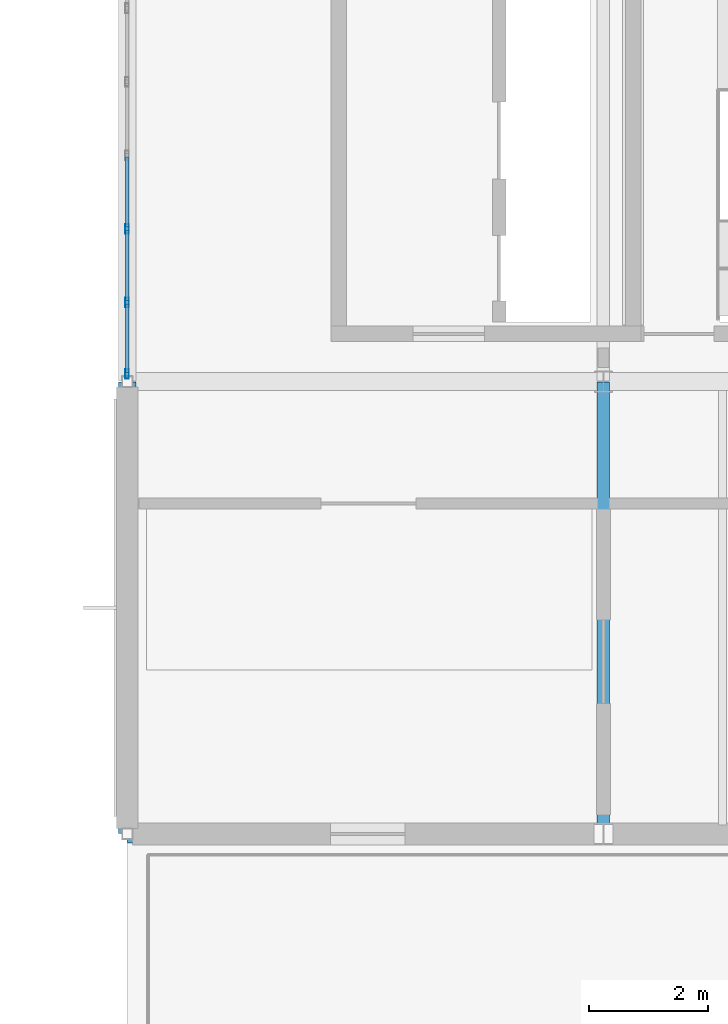
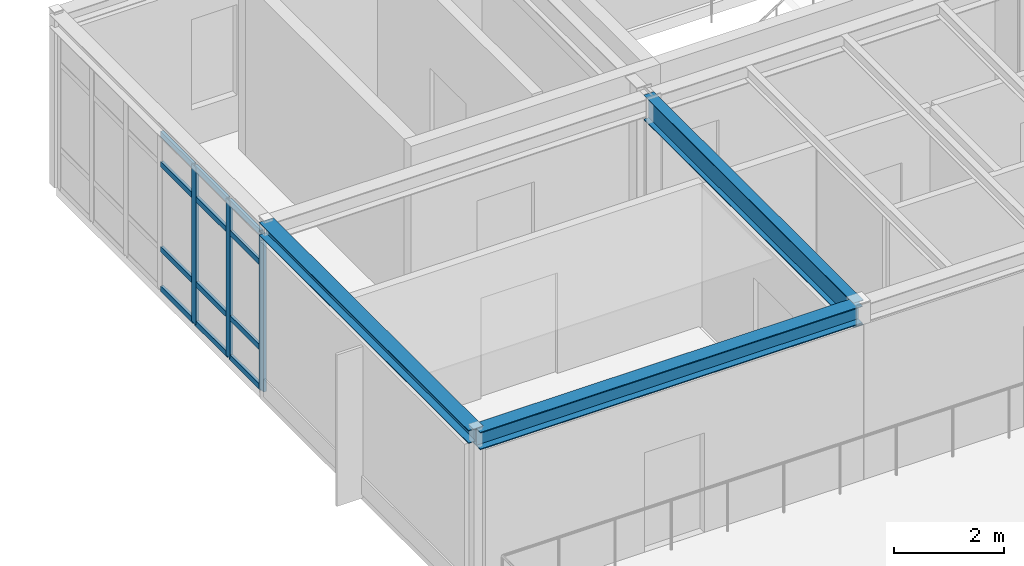
# One storey, part 13 of 26: 15 members, 3 beams, 1 element without a shape of its own.
"""IFC4 building model written with IfcOpenShell, lengths in metres."""

from ifc_helpers import new_model, si_unit, direction, frame, origin, origin_2d, place, context, subcontext, project, spatial, hollow_rectangle, i_section, extrude, material, layer, layer_set, material_profile, profile_set, type_object, element, aggregate, save


model = new_model("IFC4")

# Units and contexts
model_context = context("Model", 3, precision=1e-05, world=origin(), true_north=direction((0.0, 1.0)))
body_context = subcontext(model_context, "Body", "Model", "MODEL_VIEW")
ifc_project = project(units=[si_unit("LENGTHUNIT", "METRE"), si_unit("AREAUNIT", "SQUARE_METRE"), si_unit("VOLUMEUNIT", "CUBIC_METRE"), si_unit("PLANEANGLEUNIT", "RADIAN"), si_unit("MASSUNIT", "GRAM", prefix="KILO")], contexts=[model_context])

# Site, building, storey
site_placement = place(None, origin())
site = spatial("IfcSite", under=ifc_project, at=site_placement, CompositionType="ELEMENT")
building_placement = place(site_placement, origin())
building = spatial("IfcBuilding", under=site, at=building_placement, Name="Montecoro Central Library", CompositionType="ELEMENT")
storey_placement = place(building_placement, frame((0.0, 0.0, 21.419921875)))
storey = spatial("IfcBuildingStorey", under=building, at=storey_placement, Name="L05", CompositionType="ELEMENT", Elevation=21.419921875)

# Beams
ifc_material_1 = material(Name="Steel S355", Category="steel")
ifc_material_profile_1 = material_profile(ifc_material_1, i_section(OverallWidth=0.300048828125, OverallDepth=0.389892578125, WebThickness=0.010986328125, FlangeThickness=0.01904296875, at=origin_2d()), Name="HEA 400")
ifc_profile_set_1 = profile_set([ifc_material_profile_1], Name="Steel S355")
beam_type_1 = type_object("IfcBeamType", Name="BM-G-HEA400", PredefinedType="USERDEFINED", material=ifc_profile_set_1)
beam_1_placement = place(storey_placement, frame((141.0048828125, 103.800048828125, 3.630126953125), z_axis=(1.0, 0.0, 0.0), x_axis=(0.0, 1.0, 0.0)))
element("IfcBeam", 1, at=beam_1_placement, inside=storey, type_object=beam_type_1, Name="V5-L05-BX-1819-P", ObjectType="GIRDER", PredefinedType="USERDEFINED", context=body_context, shape_type="SweptSolid", body=[
    extrude(i_section(OverallWidth=0.300048828125, OverallDepth=0.389892578125, WebThickness=0.010986328125, FlangeThickness=0.01904296875, at=origin_2d()), origin(), (0.0, 0.0, 1.0), 7.990234375),
])
ifc_material_2 = material(Name="Steel S355J2", Category="steel")
ifc_material_profile_2 = material_profile(ifc_material_2, i_section(OverallWidth=0.2099609375, OverallDepth=0.550048828125, WebThickness=0.010986328125, FlangeThickness=0.01708984375, at=origin_2d()), Name="IPE 550")
ifc_profile_set_2 = profile_set([ifc_material_profile_2], Name="Steel S355J2")
beam_type_2 = type_object("IfcBeamType", Name="BM-G-IPE550", PredefinedType="USERDEFINED", material=ifc_profile_set_2)
beam_2_placement = place(storey_placement, frame((149.0, 103.804931640625, 3.550048828125), z_axis=(0.0, 1.0, 0.0), x_axis=(-1.0, 0.0, 0.0)))
element("IfcBeam", 2, at=beam_2_placement, inside=storey, type_object=beam_type_2, Name="V5-L05-BY-19-PQ", ObjectType="GIRDER", PredefinedType="USERDEFINED", context=body_context, shape_type="SweptSolid", body=[
    extrude(i_section(OverallWidth=0.2099609375, OverallDepth=0.550048828125, WebThickness=0.010986328125, FlangeThickness=0.01708984375, at=origin_2d()), origin(), (0.0, 0.0, 1.0), 7.590087890625),
])
ifc_material_profile_3 = material_profile(ifc_material_1, i_section(OverallWidth=0.300048828125, OverallDepth=0.2900390625, WebThickness=0.008544921875, FlangeThickness=0.013916015625, at=origin_2d()), Name="HEA 300")
ifc_profile_set_3 = profile_set([ifc_material_profile_3], Name="Steel S355")
beam_type_3 = type_object("IfcBeamType", Name="BM-SP-HEA300", PredefinedType="SPANDREL", material=ifc_profile_set_3)
beam_3_placement = place(storey_placement, frame((141.0, 103.804931640625, 3.68017578125), z_axis=(0.0, 1.0, 0.0), x_axis=(-1.0, 0.0, 0.0)))
element("IfcBeam", 3, at=beam_3_placement, inside=storey, type_object=beam_type_3, Name="V5-L05-BY-18-PQ", PredefinedType="SPANDREL", context=body_context, shape_type="SweptSolid", body=[
    extrude(i_section(OverallWidth=0.300048828125, OverallDepth=0.2900390625, WebThickness=0.008544921875, FlangeThickness=0.013916015625, at=origin_2d()), origin(), (0.0, 0.0, 1.0), 7.590087890625),
])

# Curtain wall, members
ifc_material_3 = material(Name="Bronze-anodised aluminium and low-E glazing", Category="aluminium")
ifc_layer = layer(ifc_material_3, 0.159912109375)
ifc_layer_set = layer_set([ifc_layer], Name="Bronze-anodised aluminium and low-E glazing")
curtain_wall_type = type_object("IfcCurtainWallType", Name="CWT-057", PredefinedType="NOTDEFINED", material=ifc_layer_set)
curtain_wall_placement = place(storey_placement, origin())
curtain_wall = element("IfcCurtainWall", 4, at=curtain_wall_placement, inside=storey, type_object=curtain_wall_type, Name="V5-L05-CW-W1", PredefinedType="NOTDEFINED")
ifc_material_4 = material(Name="Bronze-anodised aluminium", Category="aluminium")
ifc_material_profile_4 = material_profile(ifc_material_4, hollow_rectangle(XDim=0.06005859375, YDim=0.159912109375, WallThickness=0.00390625, at=origin_2d()), Name="CWM 160x60x4.0")
ifc_profile_set_4 = profile_set([ifc_material_profile_4], Name="Bronze-anodised aluminium")
member_type_1 = type_object("IfcMemberType", Name="CWM-BRZ-60", PredefinedType="MULLION", material=ifc_profile_set_4)
member_1_placement = place(storey_placement, frame((141.0, 113.96435546875, 0.0), z_axis=(0.0, 0.0, 1.0), x_axis=(1.0, 0.0, 0.0)))
member_1 = element("IfcMember", 5, at=member_1_placement, type_object=member_type_1, Name="CW-057 mullion 5", PredefinedType="MULLION", context=body_context, shape_type="SweptSolid", body=[
    extrude(hollow_rectangle(XDim=0.06005859375, YDim=0.159912109375, WallThickness=0.00390625, at=origin_2d()), origin(), (0.0, 0.0, 1.0), 3.47998046875),
])
member_2_placement = place(storey_placement, frame((141.0, 112.728759765625, 0.0), z_axis=(0.0, 0.0, 1.0), x_axis=(1.0, 0.0, 0.0)))
member_2 = element("IfcMember", 6, at=member_2_placement, type_object=member_type_1, Name="CW-057 mullion 6", PredefinedType="MULLION", context=body_context, shape_type="SweptSolid", body=[
    extrude(hollow_rectangle(XDim=0.06005859375, YDim=0.159912109375, WallThickness=0.00390625, at=origin_2d()), origin(), (0.0, 0.0, 1.0), 3.47998046875),
])
member_3_placement = place(storey_placement, frame((141.0, 111.52294921875, 0.0), z_axis=(0.0, 0.0, 1.0), x_axis=(1.0, 0.0, 0.0)))
member_3 = element("IfcMember", 7, at=member_3_placement, type_object=member_type_1, Name="CW-057 mullion 7", PredefinedType="MULLION", context=body_context, shape_type="SweptSolid", body=[
    extrude(hollow_rectangle(XDim=0.06005859375, YDim=0.159912109375, WallThickness=0.00390625, at=origin_2d()), origin(), (0.0, 0.0, 1.0), 3.47998046875),
])
ifc_material_profile_5 = material_profile(ifc_material_4, hollow_rectangle(XDim=0.06005859375, YDim=0.1201171875, WallThickness=0.00390625, at=origin_2d()), Name="CWT 120x60x4.0")
ifc_profile_set_5 = profile_set([ifc_material_profile_5], Name="Bronze-anodised aluminium")
member_type_2 = type_object("IfcMemberType", Name="CWT-BRZ-60", PredefinedType="USERDEFINED", material=ifc_profile_set_5)
member_4_placement = place(storey_placement, frame((141.0, 115.169921875, 0.030029296875), z_axis=(0.0, -1.0, 0.0), x_axis=(1.0, 0.0, 0.0)))
member_4 = element("IfcMember", 8, at=member_4_placement, type_object=member_type_2, Name="CW-057 transom 4.1", ObjectType="TRANSOM", PredefinedType="USERDEFINED", context=body_context, shape_type="SweptSolid", body=[
    extrude(hollow_rectangle(XDim=0.06005859375, YDim=0.1201171875, WallThickness=0.00390625, at=origin_2d()), origin(), (0.0, 0.0, 1.0), 1.175537109375),
])
member_5_placement = place(storey_placement, frame((141.0, 115.169921875, 0.900146484375), z_axis=(0.0, -1.0, 0.0), x_axis=(1.0, 0.0, 0.0)))
member_5 = element("IfcMember", 9, at=member_5_placement, type_object=member_type_2, Name="CW-057 transom 4.2", ObjectType="TRANSOM", PredefinedType="USERDEFINED", context=body_context, shape_type="SweptSolid", body=[
    extrude(hollow_rectangle(XDim=0.06005859375, YDim=0.1201171875, WallThickness=0.00390625, at=origin_2d()), origin(), (0.0, 0.0, 1.0), 1.175537109375),
])
member_6_placement = place(storey_placement, frame((141.0, 115.169921875, 2.780029296875), z_axis=(0.0, -1.0, 0.0), x_axis=(1.0, 0.0, 0.0)))
member_6 = element("IfcMember", 10, at=member_6_placement, type_object=member_type_2, Name="CW-057 transom 4.3", ObjectType="TRANSOM", PredefinedType="USERDEFINED", context=body_context, shape_type="SweptSolid", body=[
    extrude(hollow_rectangle(XDim=0.06005859375, YDim=0.1201171875, WallThickness=0.00390625, at=origin_2d()), origin(), (0.0, 0.0, 1.0), 1.175537109375),
])
member_7_placement = place(storey_placement, frame((141.0, 115.169921875, 3.4501953125), z_axis=(0.0, -1.0, 0.0), x_axis=(1.0, 0.0, 0.0)))
member_7 = element("IfcMember", 11, at=member_7_placement, type_object=member_type_2, Name="CW-057 transom 4.4", ObjectType="TRANSOM", PredefinedType="USERDEFINED", context=body_context, shape_type="SweptSolid", body=[
    extrude(hollow_rectangle(XDim=0.06005859375, YDim=0.1201171875, WallThickness=0.00390625, at=origin_2d()), origin(), (0.0, 0.0, 1.0), 1.175537109375),
])
member_8_placement = place(storey_placement, frame((141.0, 113.934326171875, 0.030029296875), z_axis=(0.0, -1.0, 0.0), x_axis=(1.0, 0.0, 0.0)))
member_8 = element("IfcMember", 12, at=member_8_placement, type_object=member_type_2, Name="CW-057 transom 5.1", ObjectType="TRANSOM", PredefinedType="USERDEFINED", context=body_context, shape_type="SweptSolid", body=[
    extrude(hollow_rectangle(XDim=0.06005859375, YDim=0.1201171875, WallThickness=0.00390625, at=origin_2d()), origin(), (0.0, 0.0, 1.0), 1.17578125),
])
member_9_placement = place(storey_placement, frame((141.0, 113.934326171875, 0.900146484375), z_axis=(0.0, -1.0, 0.0), x_axis=(1.0, 0.0, 0.0)))
member_9 = element("IfcMember", 13, at=member_9_placement, type_object=member_type_2, Name="CW-057 transom 5.2", ObjectType="TRANSOM", PredefinedType="USERDEFINED", context=body_context, shape_type="SweptSolid", body=[
    extrude(hollow_rectangle(XDim=0.06005859375, YDim=0.1201171875, WallThickness=0.00390625, at=origin_2d()), origin(), (0.0, 0.0, 1.0), 1.17578125),
])
member_10_placement = place(storey_placement, frame((141.0, 113.934326171875, 2.780029296875), z_axis=(0.0, -1.0, 0.0), x_axis=(1.0, 0.0, 0.0)))
member_10 = element("IfcMember", 14, at=member_10_placement, type_object=member_type_2, Name="CW-057 transom 5.3", ObjectType="TRANSOM", PredefinedType="USERDEFINED", context=body_context, shape_type="SweptSolid", body=[
    extrude(hollow_rectangle(XDim=0.06005859375, YDim=0.1201171875, WallThickness=0.00390625, at=origin_2d()), origin(), (0.0, 0.0, 1.0), 1.17578125),
])
member_11_placement = place(storey_placement, frame((141.0, 113.934326171875, 3.4501953125), z_axis=(0.0, -1.0, 0.0), x_axis=(1.0, 0.0, 0.0)))
member_11 = element("IfcMember", 15, at=member_11_placement, type_object=member_type_2, Name="CW-057 transom 5.4", ObjectType="TRANSOM", PredefinedType="USERDEFINED", context=body_context, shape_type="SweptSolid", body=[
    extrude(hollow_rectangle(XDim=0.06005859375, YDim=0.1201171875, WallThickness=0.00390625, at=origin_2d()), origin(), (0.0, 0.0, 1.0), 1.17578125),
])
member_12_placement = place(storey_placement, frame((141.0, 112.69873046875, 0.030029296875), z_axis=(0.0, -1.0, 0.0), x_axis=(1.0, 0.0, 0.0)))
member_12 = element("IfcMember", 16, at=member_12_placement, type_object=member_type_2, Name="CW-057 transom 6.1", ObjectType="TRANSOM", PredefinedType="USERDEFINED", context=body_context, shape_type="SweptSolid", body=[
    extrude(hollow_rectangle(XDim=0.06005859375, YDim=0.1201171875, WallThickness=0.00390625, at=origin_2d()), origin(), (0.0, 0.0, 1.0), 1.145751953125),
])
member_13_placement = place(storey_placement, frame((141.0, 112.69873046875, 0.900146484375), z_axis=(0.0, -1.0, 0.0), x_axis=(1.0, 0.0, 0.0)))
member_13 = element("IfcMember", 17, at=member_13_placement, type_object=member_type_2, Name="CW-057 transom 6.2", ObjectType="TRANSOM", PredefinedType="USERDEFINED", context=body_context, shape_type="SweptSolid", body=[
    extrude(hollow_rectangle(XDim=0.06005859375, YDim=0.1201171875, WallThickness=0.00390625, at=origin_2d()), origin(), (0.0, 0.0, 1.0), 1.145751953125),
])
member_14_placement = place(storey_placement, frame((141.0, 112.69873046875, 2.780029296875), z_axis=(0.0, -1.0, 0.0), x_axis=(1.0, 0.0, 0.0)))
member_14 = element("IfcMember", 18, at=member_14_placement, type_object=member_type_2, Name="CW-057 transom 6.3", ObjectType="TRANSOM", PredefinedType="USERDEFINED", context=body_context, shape_type="SweptSolid", body=[
    extrude(hollow_rectangle(XDim=0.06005859375, YDim=0.1201171875, WallThickness=0.00390625, at=origin_2d()), origin(), (0.0, 0.0, 1.0), 1.145751953125),
])
member_15_placement = place(storey_placement, frame((141.0, 112.69873046875, 3.4501953125), z_axis=(0.0, -1.0, 0.0), x_axis=(1.0, 0.0, 0.0)))
member_15 = element("IfcMember", 19, at=member_15_placement, type_object=member_type_2, Name="CW-057 transom 6.4", ObjectType="TRANSOM", PredefinedType="USERDEFINED", context=body_context, shape_type="SweptSolid", body=[
    extrude(hollow_rectangle(XDim=0.06005859375, YDim=0.1201171875, WallThickness=0.00390625, at=origin_2d()), origin(), (0.0, 0.0, 1.0), 1.145751953125),
])
aggregate(curtain_wall, [member_1, member_2, member_3, member_4, member_5, member_6, member_7, member_8, member_9, member_10, member_11, member_12, member_13, member_14, member_15])

save(model, "model.ifc")
